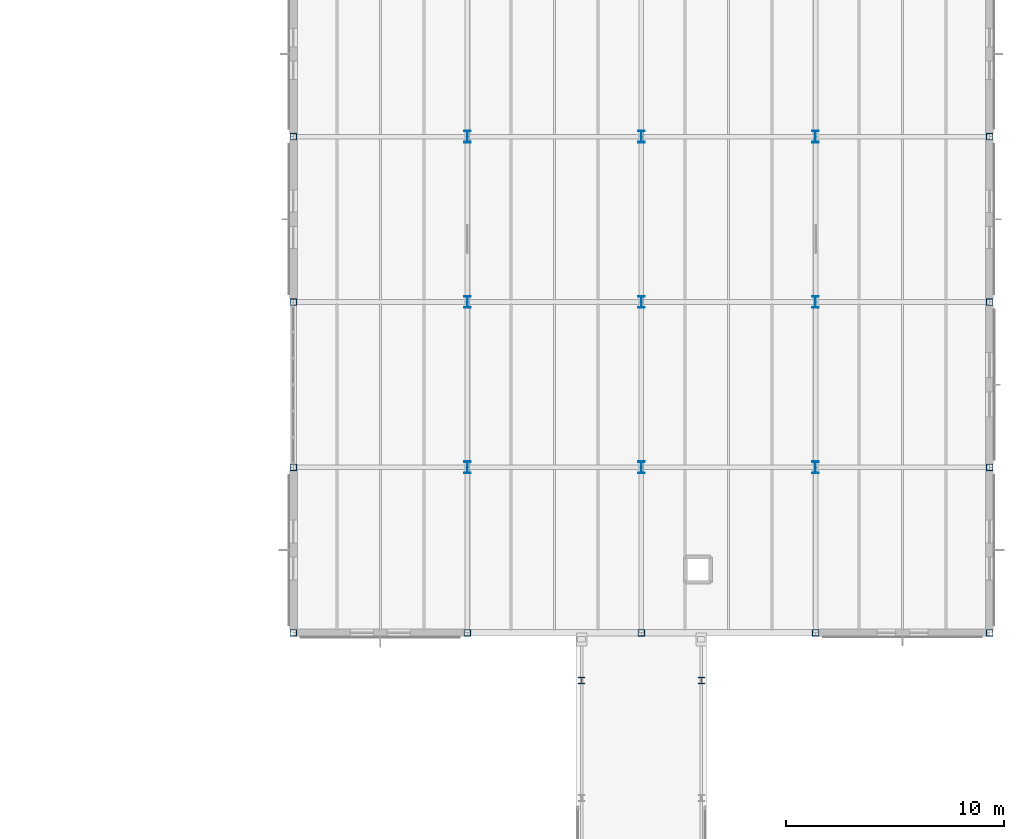
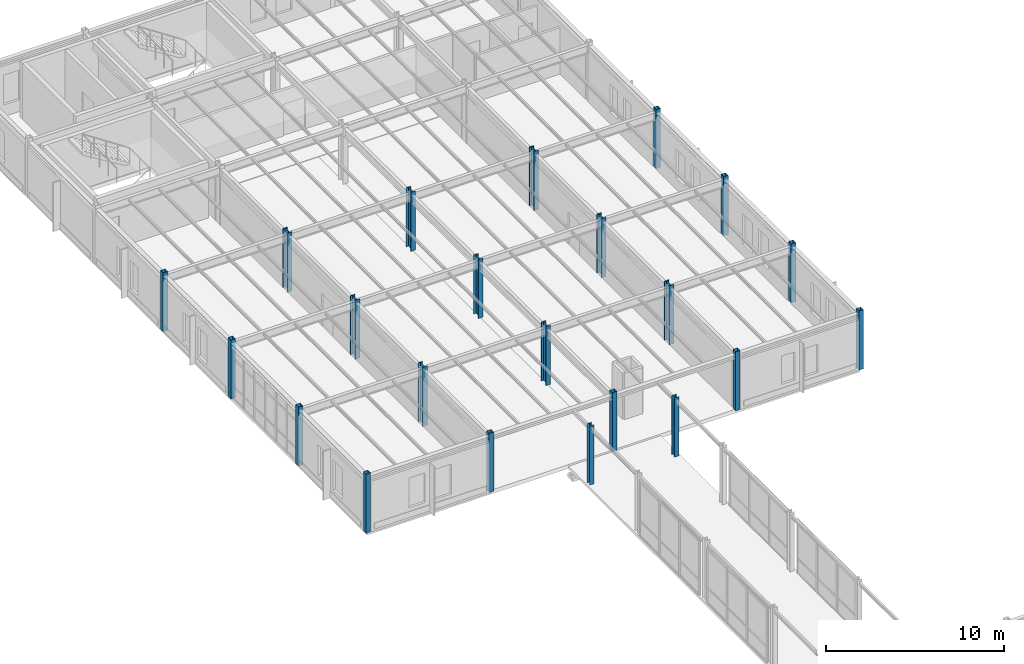
# One storey, part 21 of 165: 22 columns.
"""IFC4 building model written with IfcOpenShell, lengths in metres."""

from ifc_helpers import new_model, si_unit, direction, frame, origin, origin_2d, place, context, subcontext, project, spatial, hollow_rectangle, i_section, extrude, material, material_profile, profile_set, type_object, element, save


model = new_model("IFC4")

# Units and contexts
model_context = context("Model", 3, precision=1e-05, world=origin(), true_north=direction((0.0, 1.0)))
body_context = subcontext(model_context, "Body", "Model", "MODEL_VIEW")
ifc_project = project(units=[si_unit("LENGTHUNIT", "METRE"), si_unit("AREAUNIT", "SQUARE_METRE"), si_unit("VOLUMEUNIT", "CUBIC_METRE"), si_unit("PLANEANGLEUNIT", "RADIAN"), si_unit("MASSUNIT", "GRAM", prefix="KILO")], contexts=[model_context])

# Site, building, storey
site_placement = place(None, origin())
site = spatial("IfcSite", under=ifc_project, at=site_placement, CompositionType="ELEMENT")
building_placement = place(site_placement, origin())
building = spatial("IfcBuilding", under=site, at=building_placement, Name="Montecoro Central Library", CompositionType="ELEMENT")
storey_placement = place(building_placement, frame((0.0, 0.0, 5.10009765625)))
storey = spatial("IfcBuildingStorey", under=building, at=storey_placement, Name="L01", CompositionType="ELEMENT", Elevation=5.10009765625)

# Columns
ifc_material_1 = material(Name="Steel S355", Category="steel")
ifc_material_profile_1 = material_profile(ifc_material_1, i_section(OverallWidth=0.300048828125, OverallDepth=0.300048828125, WebThickness=0.010986328125, FlangeThickness=0.01904296875, at=origin_2d()), Name="HEB 300")
ifc_profile_set_1 = profile_set([ifc_material_profile_1], Name="Steel S355")
column_type_1 = type_object("IfcColumnType", Name="COL-HEB300", PredefinedType="COLUMN", material=ifc_profile_set_1)
for number, where, z_axis, x_axis, name in (
    (1, (154.25, 71.199951171875, 0.0), (0.0, 0.0, 1.0), (1.0, 0.0, 0.0), "BR-E-L01-COL-1542-712"),
    (2, (159.75, 71.199951171875, 0.0), (0.0, 0.0, 1.0), (1.0, 0.0, 0.0), "BR-E-L01-COL-1597-712"),
):
    element("IfcColumn", number, at=place(storey_placement, frame(where, z_axis=z_axis, x_axis=x_axis)), inside=storey, type_object=column_type_1, Name=name, PredefinedType="COLUMN", context=body_context, shape_type="SweptSolid", body=[
        extrude(i_section(OverallWidth=0.300048828125, OverallDepth=0.300048828125, WebThickness=0.010986328125, FlangeThickness=0.01904296875, at=origin_2d()), origin(), (0.0, 0.0, 1.0), 4.054931640625),
    ])
ifc_material_2 = material(Name="Steel S355J2", Category="steel")
ifc_material_profile_2 = material_profile(ifc_material_2, i_section(OverallWidth=0.300048828125, OverallDepth=0.550048828125, WebThickness=0.014892578125, FlangeThickness=0.029052734375, at=origin_2d()), Name="HEB 550")
ifc_profile_set_2 = profile_set([ifc_material_profile_2], Name="Steel S355J2")
column_type_2 = type_object("IfcColumnType", Name="COL-HEB550", PredefinedType="COLUMN", material=ifc_profile_set_2)
for number, where, z_axis, x_axis, name in (
    (3, (149.0, 81.0, 0.0), (0.0, 0.0, 1.0), (1.0, 0.0, 0.0), "V5-L01-COL-19-L"),
    (4, (149.0, 88.60009765625, 0.0), (0.0, 0.0, 1.0), (1.0, 0.0, 0.0), "V5-L01-COL-19-M"),
    (5, (149.0, 96.199951171875, 0.0), (0.0, 0.0, 1.0), (1.0, 0.0, 0.0), "V5-L01-COL-19-N"),
    (6, (157.0, 81.0, 0.0), (0.0, 0.0, 1.0), (1.0, 0.0, 0.0), "V5-L01-COL-20-L"),
    (7, (157.0, 88.60009765625, 0.0), (0.0, 0.0, 1.0), (1.0, 0.0, 0.0), "V5-L01-COL-20-M"),
    (8, (157.0, 96.199951171875, 0.0), (0.0, 0.0, 1.0), (1.0, 0.0, 0.0), "V5-L01-COL-20-N"),
    (9, (165.0, 81.0, 0.0), (0.0, 0.0, 1.0), (1.0, 0.0, 0.0), "V5-L01-COL-21-L"),
    (10, (165.0, 88.60009765625, 0.0), (0.0, 0.0, 1.0), (1.0, 0.0, 0.0), "V5-L01-COL-21-M"),
    (11, (165.0, 96.199951171875, 0.0), (0.0, 0.0, 1.0), (1.0, 0.0, 0.0), "V5-L01-COL-21-N"),
):
    element("IfcColumn", number, at=place(storey_placement, frame(where, z_axis=z_axis, x_axis=x_axis)), inside=storey, type_object=column_type_2, Name=name, PredefinedType="COLUMN", context=body_context, shape_type="SweptSolid", body=[
        extrude(i_section(OverallWidth=0.300048828125, OverallDepth=0.550048828125, WebThickness=0.014892578125, FlangeThickness=0.029052734375, at=origin_2d()), origin(), (0.0, 0.0, 1.0), 4.054931640625),
    ])
ifc_material_profile_3 = material_profile(ifc_material_1, hollow_rectangle(XDim=0.300048828125, YDim=0.300048828125, WallThickness=0.012451171875, at=origin_2d()), Name="SHS 300x300x12.5")
ifc_profile_set_3 = profile_set([ifc_material_profile_3], Name="Steel S355")
column_type_3 = type_object("IfcColumnType", Name="COL-SHS300", PredefinedType="COLUMN", material=ifc_profile_set_3)
for number, where, z_axis, x_axis, name in (
    (12, (141.0, 73.39990234375, 0.0), (0.0, 0.0, 1.0), (1.0, 0.0, 0.0), "V5-L01-COL-18-K"),
    (13, (141.0, 81.0, 0.0), (0.0, 0.0, 1.0), (1.0, 0.0, 0.0), "V5-L01-COL-18-L"),
    (14, (141.0, 88.60009765625, 0.0), (0.0, 0.0, 1.0), (1.0, 0.0, 0.0), "V5-L01-COL-18-M"),
    (15, (141.0, 96.199951171875, 0.0), (0.0, 0.0, 1.0), (1.0, 0.0, 0.0), "V5-L01-COL-18-N"),
    (16, (149.0, 73.39990234375, 0.0), (0.0, 0.0, 1.0), (1.0, 0.0, 0.0), "V5-L01-COL-19-K"),
    (17, (157.0, 73.39990234375, 0.0), (0.0, 0.0, 1.0), (1.0, 0.0, 0.0), "V5-L01-COL-20-K"),
    (18, (165.0, 73.39990234375, 0.0), (0.0, 0.0, 1.0), (1.0, 0.0, 0.0), "V5-L01-COL-21-K"),
    (19, (173.0, 73.39990234375, 0.0), (0.0, 0.0, 1.0), (1.0, 0.0, 0.0), "V5-L01-COL-22-K"),
    (20, (173.0, 81.0, 0.0), (0.0, 0.0, 1.0), (1.0, 0.0, 0.0), "V5-L01-COL-22-L"),
    (21, (173.0, 88.60009765625, 0.0), (0.0, 0.0, 1.0), (1.0, 0.0, 0.0), "V5-L01-COL-22-M"),
    (22, (173.0, 96.199951171875, 0.0), (0.0, 0.0, 1.0), (1.0, 0.0, 0.0), "V5-L01-COL-22-N"),
):
    element("IfcColumn", number, at=place(storey_placement, frame(where, z_axis=z_axis, x_axis=x_axis)), inside=storey, type_object=column_type_3, Name=name, PredefinedType="COLUMN", context=body_context, shape_type="SweptSolid", body=[
        extrude(hollow_rectangle(XDim=0.300048828125, YDim=0.300048828125, WallThickness=0.012451171875, at=origin_2d()), origin(), (0.0, 0.0, 1.0), 4.054931640625),
    ])

save(model, "model.ifc")
